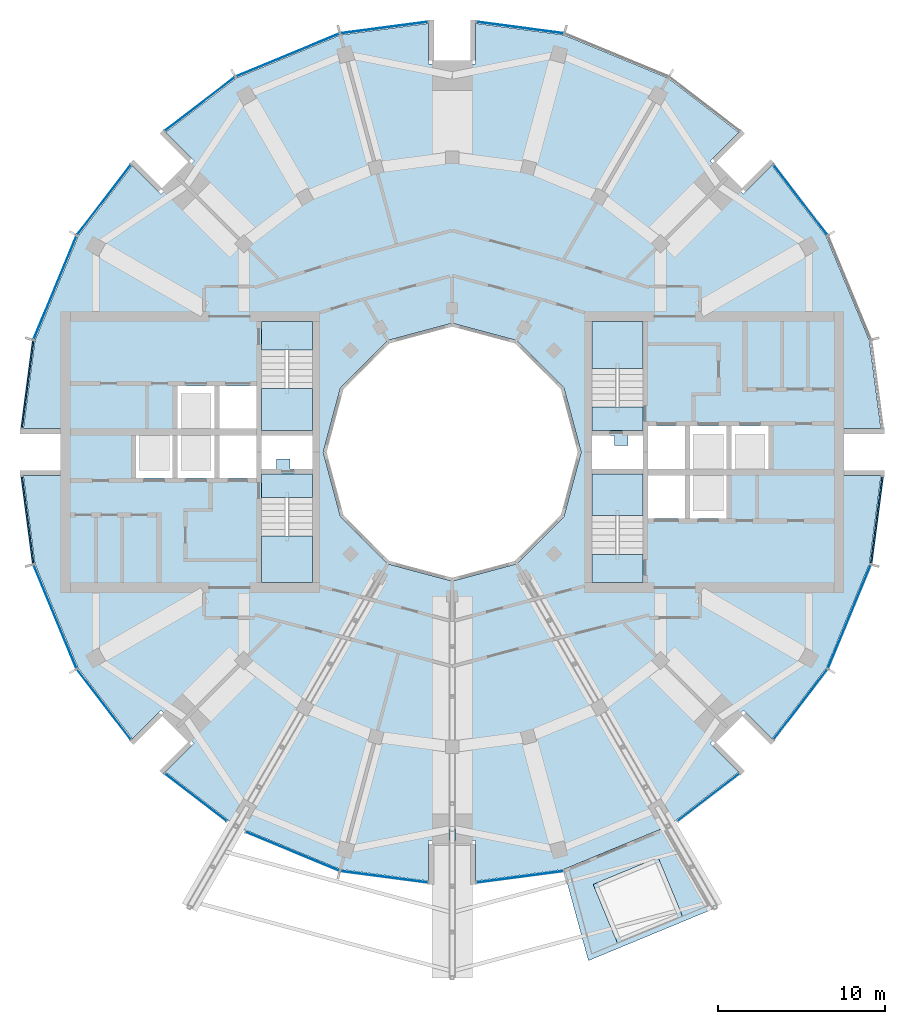
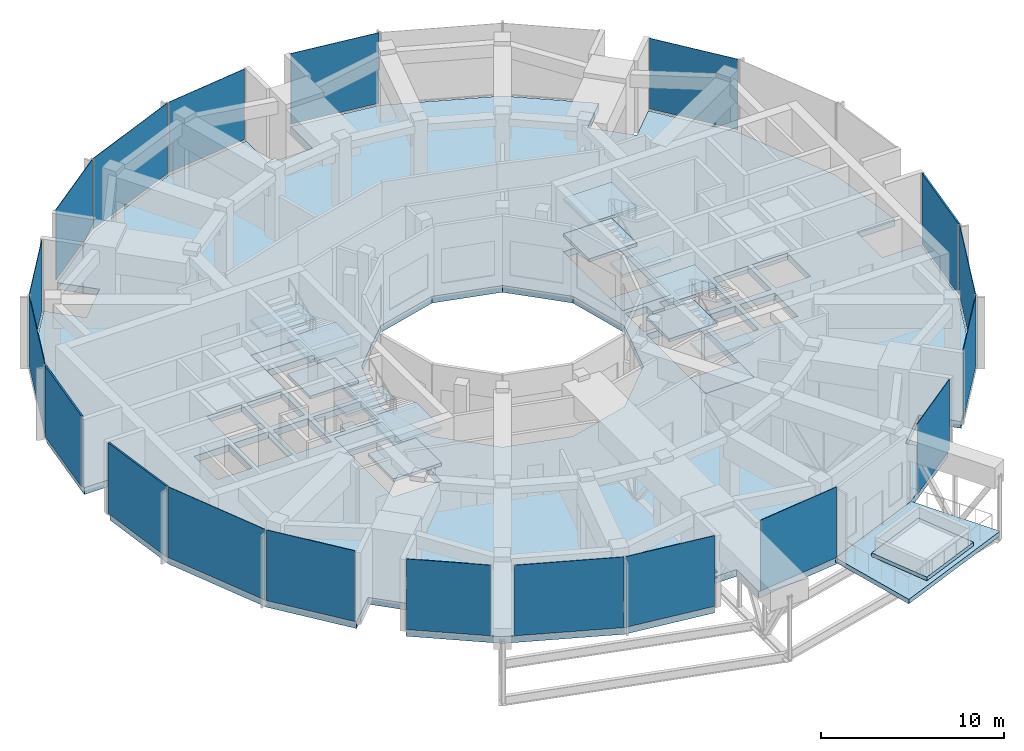
# One storey, part 9 of 17: 19 plates, 19 slabs, 1 member, 23 elements without a shape of their own.
"""IFC4 building model written with IfcOpenShell, lengths in metres."""

from ifc_helpers import new_model, si_unit, direction, frame, origin, origin_2d, place, context, subcontext, project, spatial, polyline, rectangle, i_section, outline, extrude, material, layer, layer_set, material_profile, profile_set, type_object, element, aggregate, save


model = new_model("IFC4")

# Units and contexts
model_context = context("Model", 3, precision=1e-05, world=origin(), true_north=direction((0.0, 1.0)))
body_context = subcontext(model_context, "Body", "Model", "MODEL_VIEW")
ifc_project = project(units=[si_unit("LENGTHUNIT", "METRE"), si_unit("AREAUNIT", "SQUARE_METRE"), si_unit("VOLUMEUNIT", "CUBIC_METRE"), si_unit("PLANEANGLEUNIT", "RADIAN"), si_unit("MASSUNIT", "GRAM", prefix="KILO")], contexts=[model_context])

# Site, building, storey
site_placement = place(None, origin())
site = spatial("IfcSite", under=ifc_project, at=site_placement, CompositionType="ELEMENT")
building_placement = place(site_placement, origin())
building = spatial("IfcBuilding", under=site, at=building_placement, Name="Torre Brocal", CompositionType="ELEMENT")
storey_placement = place(building_placement, frame((0.0, 0.0, 270.89990234375)))
storey = spatial("IfcBuildingStorey", under=building, at=storey_placement, Name="L62", CompositionType="ELEMENT", Elevation=270.89990234375)

# Member
ifc_material_1 = material(Name="Steel A992", Category="steel")
ifc_material_profile = material_profile(ifc_material_1, i_section(OverallWidth=0.406494140625, OverallDepth=0.41650390625, WebThickness=0.030029296875, FlangeThickness=0.048095703125, at=origin_2d()), Name="W14X257")
ifc_profile_set = profile_set([ifc_material_profile], Name="Steel A992")
member_type = type_object("IfcMemberType", Name="POOL TRUSS BOTTOM CHORD W14X257", PredefinedType="CHORD", material=ifc_profile_set)
member_placement = place(storey_placement, frame((80.0, 52.5, 0.091796875), z_axis=(0.0, -1.0, 0.0), x_axis=(1.0, 0.0, 0.0)))
element("IfcMember", 1, at=member_placement, inside=storey, type_object=member_type, Name="Member CT-C15", PredefinedType="CHORD", context=body_context, shape_type="SweptSolid", body=[
    extrude(i_section(OverallWidth=0.406494140625, OverallDepth=0.41650390625, WebThickness=0.030029296875, FlangeThickness=0.048095703125, at=origin_2d()), origin(), (0.0, 0.0, 1.0), 0.699951171875),
])

# Curtain wall, plate
ifc_material_2 = material(Name="Aluminium and glass", Category="aluminium")
ifc_layer_1 = layer(ifc_material_2, 0.199951171875)
ifc_layer_set_1 = layer_set([ifc_layer_1], Name="Aluminium and glass")
curtain_wall_type_1 = type_object("IfcCurtainWallType", Name="CW-1 CURTAIN WALL 4800 HIGH", PredefinedType="NOTDEFINED", material=ifc_layer_set_1)
curtain_wall_1_placement = place(storey_placement, origin())
curtain_wall_1 = element("IfcCurtainWall", 2, at=curtain_wall_1_placement, inside=storey, type_object=curtain_wall_type_1, Name="CW-1 RUN 3", PredefinedType="NOTDEFINED")
ifc_material_3 = material(Name="Glass, dark tinted laminated", Category="glass")
ifc_layer_2 = layer(ifc_material_3, 0.031982421875)
ifc_layer_set_2 = layer_set([ifc_layer_2], Name="Glass, dark tinted laminated")
plate_type_1 = type_object("IfcPlateType", Name="CW-1 GLASS PANEL 32", PredefinedType="CURTAIN_PANEL", material=ifc_layer_set_2)
plate_1_placement = place(storey_placement, frame((100.80126953125, 90.0712890625, 0.080078125), z_axis=(0.0, 0.0, 1.0), x_axis=(-0.60876142905, 0.793353340259, 0.0)))
plate_1 = element("IfcPlate", 3, at=plate_1_placement, type_object=plate_type_1, Name="CW1-7 panel 1.1", PredefinedType="CURTAIN_PANEL", context=body_context, shape_type="SweptSolid", body=[
    extrude(rectangle(XDim=5.22900390625, YDim=0.031982421875, at=origin_2d()), origin(), (0.0, 0.0, 1.0), 4.719970703125),
])
aggregate(curtain_wall_1, [plate_1])

curtain_wall_2_placement = place(storey_placement, origin())
curtain_wall_2 = element("IfcCurtainWall", 4, at=curtain_wall_2_placement, inside=storey, type_object=curtain_wall_type_1, Name="CW-1 RUN 6", PredefinedType="NOTDEFINED")
plate_2_placement = place(storey_placement, frame((84.051513671875, 100.36572265625, 0.080078125), z_axis=(0.0, 0.0, 1.0), x_axis=(-0.991444861374, 0.13052619222, 0.0)))
plate_2 = element("IfcPlate", 5, at=plate_2_placement, type_object=plate_type_1, Name="CW1-7 panel 1.1", PredefinedType="CURTAIN_PANEL", context=body_context, shape_type="SweptSolid", body=[
    extrude(rectangle(XDim=5.22900390625, YDim=0.031982421875, at=origin_2d()), origin(), (0.0, 0.0, 1.0), 4.719970703125),
])
aggregate(curtain_wall_2, [plate_2])

curtain_wall_3_placement = place(storey_placement, origin())
curtain_wall_3 = element("IfcCurtainWall", 6, at=curtain_wall_3_placement, inside=storey, type_object=curtain_wall_type_1, Name="CW-1 RUN 7", PredefinedType="NOTDEFINED")
plate_3_placement = place(storey_placement, frame((75.948486328125, 100.36572265625, 0.080078125), z_axis=(0.0, 0.0, 1.0), x_axis=(-0.991444861374, -0.13052619222, 0.0)))
plate_3 = element("IfcPlate", 7, at=plate_3_placement, type_object=plate_type_1, Name="CW1-7 panel 1.1", PredefinedType="CURTAIN_PANEL", context=body_context, shape_type="SweptSolid", body=[
    extrude(rectangle(XDim=5.22900390625, YDim=0.031982421875, at=origin_2d()), origin(), (0.0, 0.0, 1.0), 4.719970703125),
])
aggregate(curtain_wall_3, [plate_3])

curtain_wall_4_placement = place(storey_placement, origin())
curtain_wall_4 = element("IfcCurtainWall", 8, at=curtain_wall_4_placement, inside=storey, type_object=curtain_wall_type_1, Name="CW-1 RUN 8", PredefinedType="NOTDEFINED")
plate_4_placement = place(storey_placement, frame((70.173583984375, 98.722900390625, 0.080078125), z_axis=(0.0, 0.0, 1.0), x_axis=(-0.923879532525, -0.382683432333, 0.0)))
plate_4 = element("IfcPlate", 9, at=plate_4_placement, type_object=plate_type_1, Name="CW1-7 panel 1.1", PredefinedType="CURTAIN_PANEL", context=body_context, shape_type="SweptSolid", body=[
    extrude(rectangle(XDim=6.64111328125, YDim=0.031982421875, at=origin_2d()), origin(), (0.0, 0.0, 1.0), 4.719970703125),
])
aggregate(curtain_wall_4, [plate_4])

curtain_wall_5_placement = place(storey_placement, origin())
curtain_wall_5 = element("IfcCurtainWall", 10, at=curtain_wall_5_placement, inside=storey, type_object=curtain_wall_type_1, Name="CW-1 RUN 9", PredefinedType="NOTDEFINED")
plate_5_placement = place(storey_placement, frame((64.9287109375, 95.80126953125, 0.080078125), z_axis=(0.0, 0.0, 1.0), x_axis=(-0.793353340259, -0.60876142905, 0.0)))
plate_5 = element("IfcPlate", 11, at=plate_5_placement, type_object=plate_type_1, Name="CW1-7 panel 1.1", PredefinedType="CURTAIN_PANEL", context=body_context, shape_type="SweptSolid", body=[
    extrude(rectangle(XDim=5.22900390625, YDim=0.031982421875, at=origin_2d()), origin(), (0.0, 0.0, 1.0), 4.719970703125),
])
aggregate(curtain_wall_5, [plate_5])

curtain_wall_6_placement = place(storey_placement, origin())
curtain_wall_6 = element("IfcCurtainWall", 12, at=curtain_wall_6_placement, inside=storey, type_object=curtain_wall_type_1, Name="CW-1 RUN 10", PredefinedType="NOTDEFINED")
plate_6_placement = place(storey_placement, frame((59.19873046875, 90.0712890625, 0.080078125), z_axis=(0.0, 0.0, 1.0), x_axis=(-0.60876142905, -0.793353340259, 0.0)))
plate_6 = element("IfcPlate", 13, at=plate_6_placement, type_object=plate_type_1, Name="CW1-7 panel 1.1", PredefinedType="CURTAIN_PANEL", context=body_context, shape_type="SweptSolid", body=[
    extrude(rectangle(XDim=5.22900390625, YDim=0.031982421875, at=origin_2d()), origin(), (0.0, 0.0, 1.0), 4.719970703125),
])
aggregate(curtain_wall_6, [plate_6])

curtain_wall_7_placement = place(storey_placement, origin())
curtain_wall_7 = element("IfcCurtainWall", 14, at=curtain_wall_7_placement, inside=storey, type_object=curtain_wall_type_1, Name="CW-1 RUN 11", PredefinedType="NOTDEFINED")
plate_7_placement = place(storey_placement, frame((56.277099609375, 84.826416015625, 0.080078125), z_axis=(0.0, 0.0, 1.0), x_axis=(-0.382683432333, -0.923879532525, 0.0)))
plate_7 = element("IfcPlate", 15, at=plate_7_placement, type_object=plate_type_1, Name="CW1-7 panel 1.1", PredefinedType="CURTAIN_PANEL", context=body_context, shape_type="SweptSolid", body=[
    extrude(rectangle(XDim=6.64111328125, YDim=0.031982421875, at=origin_2d()), origin(), (0.0, 0.0, 1.0), 4.719970703125),
])
aggregate(curtain_wall_7, [plate_7])

curtain_wall_8_placement = place(storey_placement, origin())
curtain_wall_8 = element("IfcCurtainWall", 16, at=curtain_wall_8_placement, inside=storey, type_object=curtain_wall_type_1, Name="CW-1 RUN 14", PredefinedType="NOTDEFINED")
plate_8_placement = place(storey_placement, frame((56.277099609375, 65.173583984375, 0.080078125), z_axis=(0.0, 0.0, 1.0), x_axis=(0.382683432333, -0.923879532525, 0.0)))
plate_8 = element("IfcPlate", 17, at=plate_8_placement, type_object=plate_type_1, Name="CW1-7 panel 1.1", PredefinedType="CURTAIN_PANEL", context=body_context, shape_type="SweptSolid", body=[
    extrude(rectangle(XDim=6.64111328125, YDim=0.031982421875, at=origin_2d()), origin(), (0.0, 0.0, 1.0), 4.719970703125),
])
aggregate(curtain_wall_8, [plate_8])

curtain_wall_9_placement = place(storey_placement, origin())
curtain_wall_9 = element("IfcCurtainWall", 18, at=curtain_wall_9_placement, inside=storey, type_object=curtain_wall_type_1, Name="CW-1 RUN 15", PredefinedType="NOTDEFINED")
plate_9_placement = place(storey_placement, frame((59.19873046875, 59.9287109375, 0.080078125), z_axis=(0.0, 0.0, 1.0), x_axis=(0.60876142905, -0.793353340259, 0.0)))
plate_9 = element("IfcPlate", 19, at=plate_9_placement, type_object=plate_type_1, Name="CW1-7 panel 1.1", PredefinedType="CURTAIN_PANEL", context=body_context, shape_type="SweptSolid", body=[
    extrude(rectangle(XDim=5.22900390625, YDim=0.031982421875, at=origin_2d()), origin(), (0.0, 0.0, 1.0), 4.719970703125),
])
aggregate(curtain_wall_9, [plate_9])

curtain_wall_10_placement = place(storey_placement, origin())
curtain_wall_10 = element("IfcCurtainWall", 20, at=curtain_wall_10_placement, inside=storey, type_object=curtain_wall_type_1, Name="CW-1 RUN 16", PredefinedType="NOTDEFINED")
plate_10_placement = place(storey_placement, frame((64.6884765625, 54.383056640625, 0.080078125), z_axis=(0.0, 0.0, 1.0), x_axis=(0.793353340206, -0.608761429119, 0.0)))
plate_10 = element("IfcPlate", 21, at=plate_10_placement, type_object=plate_type_1, Name="CW1-7 panel 1.1", PredefinedType="CURTAIN_PANEL", context=body_context, shape_type="SweptSolid", body=[
    extrude(rectangle(XDim=4.623779296875, YDim=0.031982421875, at=origin_2d()), origin(), (0.0, 0.0, 1.0), 4.719970703125),
])
aggregate(curtain_wall_10, [plate_10])

curtain_wall_11_placement = place(storey_placement, origin())
curtain_wall_11 = element("IfcCurtainWall", 22, at=curtain_wall_11_placement, inside=storey, type_object=curtain_wall_type_1, Name="CW-1 RUN 17", PredefinedType="NOTDEFINED")
plate_11_placement = place(storey_placement, frame((70.453125, 51.1611328125, 0.080078125), z_axis=(0.0, 0.0, 1.0), x_axis=(0.923879532545, -0.382683432284, 0.0)))
plate_11 = element("IfcPlate", 23, at=plate_11_placement, type_object=plate_type_1, Name="CW1-7 panel 1.1", PredefinedType="CURTAIN_PANEL", context=body_context, shape_type="SweptSolid", body=[
    extrude(rectangle(XDim=6.035888671875, YDim=0.031982421875, at=origin_2d()), origin(), (0.0, 0.0, 1.0), 4.719970703125),
])
aggregate(curtain_wall_11, [plate_11])

curtain_wall_12_placement = place(storey_placement, origin())
curtain_wall_12 = element("IfcCurtainWall", 24, at=curtain_wall_12_placement, inside=storey, type_object=curtain_wall_type_1, Name="CW-1 RUN 18", PredefinedType="NOTDEFINED")
plate_12_placement = place(storey_placement, frame((75.948486328125, 49.63427734375, 0.080078125), z_axis=(0.0, 0.0, 1.0), x_axis=(0.991444861374, -0.13052619222, 0.0)))
plate_12 = element("IfcPlate", 25, at=plate_12_placement, type_object=plate_type_1, Name="CW1-7 panel 1.1", PredefinedType="CURTAIN_PANEL", context=body_context, shape_type="SweptSolid", body=[
    extrude(rectangle(XDim=5.22900390625, YDim=0.031982421875, at=origin_2d()), origin(), (0.0, 0.0, 1.0), 4.719970703125),
])
aggregate(curtain_wall_12, [plate_12])

curtain_wall_13_placement = place(storey_placement, origin())
curtain_wall_13 = element("IfcCurtainWall", 26, at=curtain_wall_13_placement, inside=storey, type_object=curtain_wall_type_1, Name="CW-1 RUN 19", PredefinedType="NOTDEFINED")
plate_13_placement = place(storey_placement, frame((84.051513671875, 49.63427734375, 0.080078125), z_axis=(0.0, 0.0, 1.0), x_axis=(0.991444861374, 0.13052619222, 0.0)))
plate_13 = element("IfcPlate", 27, at=plate_13_placement, type_object=plate_type_1, Name="CW1-7 panel 1.1", PredefinedType="CURTAIN_PANEL", context=body_context, shape_type="SweptSolid", body=[
    extrude(rectangle(XDim=5.22900390625, YDim=0.031982421875, at=origin_2d()), origin(), (0.0, 0.0, 1.0), 4.719970703125),
])
aggregate(curtain_wall_13, [plate_13])

curtain_wall_14_placement = place(storey_placement, origin())
curtain_wall_14 = element("IfcCurtainWall", 28, at=curtain_wall_14_placement, inside=storey, type_object=curtain_wall_type_1, Name="CW-1 RUN 21", PredefinedType="NOTDEFINED")
plate_14_placement = place(storey_placement, frame((95.3115234375, 54.383056640625, 0.080078125), z_axis=(0.0, 0.0, 1.0), x_axis=(0.793353340206, 0.608761429119, 0.0)))
plate_14 = element("IfcPlate", 29, at=plate_14_placement, type_object=plate_type_1, Name="CW1-7 panel 1.1", PredefinedType="CURTAIN_PANEL", context=body_context, shape_type="SweptSolid", body=[
    extrude(rectangle(XDim=4.623779296875, YDim=0.031982421875, at=origin_2d()), origin(), (0.0, 0.0, 1.0), 4.719970703125),
])
aggregate(curtain_wall_14, [plate_14])

curtain_wall_15_placement = place(storey_placement, origin())
curtain_wall_15 = element("IfcCurtainWall", 30, at=curtain_wall_15_placement, inside=storey, type_object=curtain_wall_type_1, Name="CW-1 RUN 22", PredefinedType="NOTDEFINED")
plate_15_placement = place(storey_placement, frame((100.80126953125, 59.9287109375, 0.080078125), z_axis=(0.0, 0.0, 1.0), x_axis=(0.60876142905, 0.793353340259, 0.0)))
plate_15 = element("IfcPlate", 31, at=plate_15_placement, type_object=plate_type_1, Name="CW1-7 panel 1.1", PredefinedType="CURTAIN_PANEL", context=body_context, shape_type="SweptSolid", body=[
    extrude(rectangle(XDim=5.22900390625, YDim=0.031982421875, at=origin_2d()), origin(), (0.0, 0.0, 1.0), 4.719970703125),
])
aggregate(curtain_wall_15, [plate_15])

curtain_wall_16_placement = place(storey_placement, origin())
curtain_wall_16 = element("IfcCurtainWall", 32, at=curtain_wall_16_placement, inside=storey, type_object=curtain_wall_type_1, Name="CW-1 RUN 23", PredefinedType="NOTDEFINED")
plate_16_placement = place(storey_placement, frame((103.722900390625, 65.173583984375, 0.080078125), z_axis=(0.0, 0.0, 1.0), x_axis=(0.382683432333, 0.923879532525, 0.0)))
plate_16 = element("IfcPlate", 33, at=plate_16_placement, type_object=plate_type_1, Name="CW1-7 panel 1.1", PredefinedType="CURTAIN_PANEL", context=body_context, shape_type="SweptSolid", body=[
    extrude(rectangle(XDim=6.64111328125, YDim=0.031982421875, at=origin_2d()), origin(), (0.0, 0.0, 1.0), 4.719970703125),
])
aggregate(curtain_wall_16, [plate_16])

ifc_material_4 = material(Name="Aluminium and glass", Category="aluminium")
ifc_layer_3 = layer(ifc_material_4, 0.199951171875)
ifc_layer_set_3 = layer_set([ifc_layer_3], Name="Aluminium and glass")
curtain_wall_type_2 = type_object("IfcCurtainWallType", Name="CW-1B CURTAIN WALL 4800 HIGH", PredefinedType="NOTDEFINED", material=ifc_layer_set_3)
curtain_wall_17_placement = place(storey_placement, origin())
curtain_wall_17 = element("IfcCurtainWall", 34, at=curtain_wall_17_placement, inside=storey, type_object=curtain_wall_type_2, Name="CW-1B RUN 12", PredefinedType="NOTDEFINED")
ifc_material_5 = material(Name="Aluminium composite panel", Category="aluminium")
ifc_layer_4 = layer(ifc_material_5, 0.10009765625)
ifc_layer_set_4 = layer_set([ifc_layer_4], Name="Aluminium composite panel")
plate_type_2 = type_object("IfcPlateType", Name="CW-1B OPAQUE PANEL 100", PredefinedType="CURTAIN_PANEL", material=ifc_layer_set_4)
plate_17_placement = place(storey_placement, frame((54.63427734375, 79.051513671875, 0.080078125), z_axis=(0.0, 0.0, 1.0), x_axis=(-0.13052619222, -0.991444861374, 0.0)))
plate_17 = element("IfcPlate", 35, at=plate_17_placement, type_object=plate_type_2, Name="CW1B-6 panel 1.1", PredefinedType="CURTAIN_PANEL", context=body_context, shape_type="SweptSolid", body=[
    extrude(rectangle(XDim=5.22900390625, YDim=0.10009765625, at=origin_2d()), origin(), (0.0, 0.0, 1.0), 4.719970703125),
])
aggregate(curtain_wall_17, [plate_17])

curtain_wall_18_placement = place(storey_placement, origin())
curtain_wall_18 = element("IfcCurtainWall", 36, at=curtain_wall_18_placement, inside=storey, type_object=curtain_wall_type_2, Name="CW-1B RUN 13", PredefinedType="NOTDEFINED")
plate_18_placement = place(storey_placement, frame((54.63427734375, 70.948486328125, 0.080078125), z_axis=(0.0, 0.0, 1.0), x_axis=(0.13052619222, -0.991444861374, 0.0)))
plate_18 = element("IfcPlate", 37, at=plate_18_placement, type_object=plate_type_2, Name="CW1B-6 panel 1.1", PredefinedType="CURTAIN_PANEL", context=body_context, shape_type="SweptSolid", body=[
    extrude(rectangle(XDim=5.22900390625, YDim=0.10009765625, at=origin_2d()), origin(), (0.0, 0.0, 1.0), 4.719970703125),
])
aggregate(curtain_wall_18, [plate_18])

curtain_wall_19_placement = place(storey_placement, origin())
curtain_wall_19 = element("IfcCurtainWall", 38, at=curtain_wall_19_placement, inside=storey, type_object=curtain_wall_type_2, Name="CW-1B RUN 24", PredefinedType="NOTDEFINED")
plate_19_placement = place(storey_placement, frame((105.36572265625, 70.948486328125, 0.080078125), z_axis=(0.0, 0.0, 1.0), x_axis=(0.13052619222, 0.991444861374, 0.0)))
plate_19 = element("IfcPlate", 39, at=plate_19_placement, type_object=plate_type_2, Name="CW1B-6 panel 1.1", PredefinedType="CURTAIN_PANEL", context=body_context, shape_type="SweptSolid", body=[
    extrude(rectangle(XDim=5.22900390625, YDim=0.10009765625, at=origin_2d()), origin(), (0.0, 0.0, 1.0), 4.719970703125),
])
aggregate(curtain_wall_19, [plate_19])

# Stair, slab
ifc_material_6 = material(Name="Concrete C50", Category="concrete")
stair_type = type_object("IfcStairType", Name="EXIT STAIR", PredefinedType="HALF_TURN_STAIR", material=ifc_material_6)
stair_1_placement = place(storey_placement, origin())
stair_1 = element("IfcStair", 40, at=stair_1_placement, inside=storey, type_object=stair_type, Name="EXIT STAIR ST1", PredefinedType="HALF_TURN_STAIR")
ifc_material_7 = material(Name="Concrete C50", Category="concrete")
ifc_layer_5 = layer(ifc_material_7, 0.449951171875)
ifc_layer_set_5 = layer_set([ifc_layer_5], Name="Concrete C50")
slab_type_1 = type_object("IfcSlabType", Name="FLOOR LANDING 450", PredefinedType="LANDING", material=ifc_layer_set_5)
slab_1_placement = place(storey_placement, frame((0.0, 0.0, -0.449951171875)))
slab_1 = element("IfcSlab", 41, at=slab_1_placement, type_object=slab_type_1, Name="ST1 landing 1", PredefinedType="LANDING", context=body_context, shape_type="SweptSolid", body=[
    extrude(outline(polyline([(88.35009765625, 76.300048828125), (91.39990234375, 76.300048828125), (91.39990234375, 77.699951171875), (88.35009765625, 77.699951171875), (88.35009765625, 76.300048828125)])), origin(), (0.0, 0.0, 1.0), 0.449951171875),
])

stair_2_placement = place(storey_placement, origin())
stair_2 = element("IfcStair", 42, at=stair_2_placement, inside=storey, type_object=stair_type, Name="EXIT STAIR ST2", PredefinedType="HALF_TURN_STAIR")
slab_2_placement = place(storey_placement, frame((0.0, 0.0, -0.449951171875)))
slab_2 = element("IfcSlab", 43, at=slab_2_placement, type_object=slab_type_1, Name="ST2 landing 1", PredefinedType="LANDING", context=body_context, shape_type="SweptSolid", body=[
    extrude(outline(polyline([(88.35009765625, 67.199951171875), (91.39990234375, 67.199951171875), (91.39990234375, 68.89990234375), (88.35009765625, 68.89990234375), (88.35009765625, 67.199951171875)])), origin(), (0.0, 0.0, 1.0), 0.449951171875),
])

stair_3_placement = place(storey_placement, origin())
stair_3 = element("IfcStair", 44, at=stair_3_placement, inside=storey, type_object=stair_type, Name="EXIT STAIR ST3", PredefinedType="HALF_TURN_STAIR")
slab_3_placement = place(storey_placement, frame((0.0, 0.0, -0.449951171875)))
slab_3 = element("IfcSlab", 45, at=slab_3_placement, type_object=slab_type_1, Name="ST3 landing 1", PredefinedType="LANDING", context=body_context, shape_type="SweptSolid", body=[
    extrude(outline(polyline([(71.64990234375, 73.699951171875), (68.60009765625, 73.699951171875), (68.60009765625, 72.300048828125), (71.64990234375, 72.300048828125), (71.64990234375, 73.699951171875)])), origin(), (0.0, 0.0, 1.0), 0.449951171875),
])

stair_4_placement = place(storey_placement, origin())
stair_4 = element("IfcStair", 46, at=stair_4_placement, inside=storey, type_object=stair_type, Name="EXIT STAIR ST4", PredefinedType="HALF_TURN_STAIR")
slab_4_placement = place(storey_placement, frame((0.0, 0.0, -0.449951171875)))
slab_4 = element("IfcSlab", 47, at=slab_4_placement, type_object=slab_type_1, Name="ST4 landing 1", PredefinedType="LANDING", context=body_context, shape_type="SweptSolid", body=[
    extrude(outline(polyline([(71.64990234375, 82.800048828125), (68.60009765625, 82.800048828125), (68.60009765625, 81.10009765625), (71.64990234375, 81.10009765625), (71.64990234375, 82.800048828125)])), origin(), (0.0, 0.0, 1.0), 0.449951171875),
])

# Slab
ifc_material_8 = material(Name="Concrete C50", Category="concrete")
ifc_layer_6 = layer(ifc_material_8, 0.199951171875)
ifc_layer_set_6 = layer_set([ifc_layer_6], Name="Concrete C50")
slab_type_2 = type_object("IfcSlabType", Name="MID LANDING +1200", PredefinedType="LANDING", material=ifc_layer_set_6)
slab_5_placement = place(storey_placement, frame((0.0, 0.0, 1.0)))
slab_5 = element("IfcSlab", 48, at=slab_5_placement, type_object=slab_type_2, Name="ST1 landing 2", PredefinedType="LANDING", context=body_context, shape_type="SweptSolid", body=[
    extrude(outline(polyline([(88.35009765625, 80.010009765625), (91.39990234375, 80.010009765625), (91.39990234375, 82.800048828125), (88.35009765625, 82.800048828125), (88.35009765625, 80.010009765625)])), origin(), (0.0, 0.0, 1.0), 0.2001953125),
])

slab_6_placement = place(storey_placement, frame((0.0, 0.0, 1.0)))
slab_6 = element("IfcSlab", 49, at=slab_6_placement, type_object=slab_type_2, Name="ST2 landing 2", PredefinedType="LANDING", context=body_context, shape_type="SweptSolid", body=[
    extrude(outline(polyline([(88.35009765625, 71.2099609375), (91.39990234375, 71.2099609375), (91.39990234375, 73.699951171875), (88.35009765625, 73.699951171875), (88.35009765625, 71.2099609375)])), origin(), (0.0, 0.0, 1.0), 0.2001953125),
])

slab_7_placement = place(storey_placement, frame((0.0, 0.0, 1.0)))
slab_7 = element("IfcSlab", 50, at=slab_7_placement, type_object=slab_type_2, Name="ST3 landing 2", PredefinedType="LANDING", context=body_context, shape_type="SweptSolid", body=[
    extrude(outline(polyline([(71.64990234375, 69.989990234375), (68.60009765625, 69.989990234375), (68.60009765625, 67.199951171875), (71.64990234375, 67.199951171875), (71.64990234375, 69.989990234375)])), origin(), (0.0, 0.0, 1.0), 0.2001953125),
])

slab_8_placement = place(storey_placement, frame((0.0, 0.0, 1.0)))
slab_8 = element("IfcSlab", 51, at=slab_8_placement, type_object=slab_type_2, Name="ST4 landing 2", PredefinedType="LANDING", context=body_context, shape_type="SweptSolid", body=[
    extrude(outline(polyline([(71.64990234375, 78.7900390625), (68.60009765625, 78.7900390625), (68.60009765625, 76.300048828125), (71.64990234375, 76.300048828125), (71.64990234375, 78.7900390625)])), origin(), (0.0, 0.0, 1.0), 0.2001953125),
])

ifc_material_9 = material(Name="Concrete C50", Category="concrete")
ifc_layer_7 = layer(ifc_material_9, 0.199951171875)
ifc_layer_set_7 = layer_set([ifc_layer_7], Name="Concrete C50")
slab_type_3 = type_object("IfcSlabType", Name="MID LANDING +2400", PredefinedType="LANDING", material=ifc_layer_set_7)
slab_9_placement = place(storey_placement, frame((0.0, 0.0, 2.2001953125)))
slab_9 = element("IfcSlab", 52, at=slab_9_placement, type_object=slab_type_3, Name="ST1 landing 3", PredefinedType="LANDING", context=body_context, shape_type="SweptSolid", body=[
    extrude(outline(polyline([(88.35009765625, 76.300048828125), (91.39990234375, 76.300048828125), (91.39990234375, 77.699951171875), (88.35009765625, 77.699951171875), (88.35009765625, 76.300048828125)])), origin(), (0.0, 0.0, 1.0), 0.199951171875),
])

slab_10_placement = place(storey_placement, frame((0.0, 0.0, 2.2001953125)))
slab_10 = element("IfcSlab", 53, at=slab_10_placement, type_object=slab_type_3, Name="ST2 landing 3", PredefinedType="LANDING", context=body_context, shape_type="SweptSolid", body=[
    extrude(outline(polyline([(88.35009765625, 67.199951171875), (91.39990234375, 67.199951171875), (91.39990234375, 68.89990234375), (88.35009765625, 68.89990234375), (88.35009765625, 67.199951171875)])), origin(), (0.0, 0.0, 1.0), 0.199951171875),
])

slab_11_placement = place(storey_placement, frame((0.0, 0.0, 2.2001953125)))
slab_11 = element("IfcSlab", 54, at=slab_11_placement, type_object=slab_type_3, Name="ST3 landing 3", PredefinedType="LANDING", context=body_context, shape_type="SweptSolid", body=[
    extrude(outline(polyline([(71.64990234375, 73.699951171875), (68.60009765625, 73.699951171875), (68.60009765625, 72.300048828125), (71.64990234375, 72.300048828125), (71.64990234375, 73.699951171875)])), origin(), (0.0, 0.0, 1.0), 0.199951171875),
])

slab_12_placement = place(storey_placement, frame((0.0, 0.0, 2.2001953125)))
slab_12 = element("IfcSlab", 55, at=slab_12_placement, type_object=slab_type_3, Name="ST4 landing 3", PredefinedType="LANDING", context=body_context, shape_type="SweptSolid", body=[
    extrude(outline(polyline([(71.64990234375, 82.800048828125), (68.60009765625, 82.800048828125), (68.60009765625, 81.10009765625), (71.64990234375, 81.10009765625), (71.64990234375, 82.800048828125)])), origin(), (0.0, 0.0, 1.0), 0.199951171875),
])

ifc_material_10 = material(Name="Concrete C50", Category="concrete")
ifc_layer_8 = layer(ifc_material_10, 0.199951171875)
ifc_layer_set_8 = layer_set([ifc_layer_8], Name="Concrete C50")
slab_type_4 = type_object("IfcSlabType", Name="MID LANDING +3600", PredefinedType="LANDING", material=ifc_layer_set_8)
slab_13_placement = place(storey_placement, frame((0.0, 0.0, 3.400146484375)))
slab_13 = element("IfcSlab", 56, at=slab_13_placement, type_object=slab_type_4, Name="ST1 landing 4", PredefinedType="LANDING", context=body_context, shape_type="SweptSolid", body=[
    extrude(outline(polyline([(88.35009765625, 80.010009765625), (91.39990234375, 80.010009765625), (91.39990234375, 82.800048828125), (88.35009765625, 82.800048828125), (88.35009765625, 80.010009765625)])), origin(), (0.0, 0.0, 1.0), 0.199951171875),
])

aggregate(stair_1, [slab_1, slab_5, slab_9, slab_13])

slab_14_placement = place(storey_placement, frame((0.0, 0.0, 3.400146484375)))
slab_14 = element("IfcSlab", 57, at=slab_14_placement, type_object=slab_type_4, Name="ST2 landing 4", PredefinedType="LANDING", context=body_context, shape_type="SweptSolid", body=[
    extrude(outline(polyline([(88.35009765625, 71.2099609375), (91.39990234375, 71.2099609375), (91.39990234375, 73.699951171875), (88.35009765625, 73.699951171875), (88.35009765625, 71.2099609375)])), origin(), (0.0, 0.0, 1.0), 0.199951171875),
])

aggregate(stair_2, [slab_2, slab_6, slab_10, slab_14])

slab_15_placement = place(storey_placement, frame((0.0, 0.0, 3.400146484375)))
slab_15 = element("IfcSlab", 58, at=slab_15_placement, type_object=slab_type_4, Name="ST3 landing 4", PredefinedType="LANDING", context=body_context, shape_type="SweptSolid", body=[
    extrude(outline(polyline([(71.64990234375, 69.989990234375), (68.60009765625, 69.989990234375), (68.60009765625, 67.199951171875), (71.64990234375, 67.199951171875), (71.64990234375, 69.989990234375)])), origin(), (0.0, 0.0, 1.0), 0.199951171875),
])

aggregate(stair_3, [slab_3, slab_7, slab_11, slab_15])

slab_16_placement = place(storey_placement, frame((0.0, 0.0, 3.400146484375)))
slab_16 = element("IfcSlab", 59, at=slab_16_placement, type_object=slab_type_4, Name="ST4 landing 4", PredefinedType="LANDING", context=body_context, shape_type="SweptSolid", body=[
    extrude(outline(polyline([(71.64990234375, 78.7900390625), (68.60009765625, 78.7900390625), (68.60009765625, 76.300048828125), (71.64990234375, 76.300048828125), (71.64990234375, 78.7900390625)])), origin(), (0.0, 0.0, 1.0), 0.199951171875),
])

aggregate(stair_4, [slab_4, slab_8, slab_12, slab_16])

# Slabs
ifc_material_11 = material(Name="Concrete C45", Category="concrete")
ifc_layer_9 = layer(ifc_material_11, 0.25)
ifc_layer_set_9 = layer_set([ifc_layer_9], Name="Concrete C45")
slab_type_5 = type_object("IfcSlabType", Name="PLUNGE POOL FLOOR 250", PredefinedType="FLOOR", material=ifc_layer_set_9)
slab_17_placement = place(storey_placement, origin())
element("IfcSlab", 60, at=slab_17_placement, inside=storey, type_object=slab_type_5, Name="PLUNGE POOL FLOOR", PredefinedType="FLOOR", context=body_context, shape_type="SweptSolid", body=[
    extrude(outline(polyline([(88.421875, 49.179931640625), (92.30224609375, 50.787109375), (93.756591796875, 47.2763671875), (89.876220703125, 45.669189453125), (88.421875, 49.179931640625)])), origin(), (0.0, 0.0, 1.0), 0.25),
])
ifc_material_12 = material(Name="Concrete C45", Category="concrete")
ifc_layer_10 = layer(ifc_material_12, 0.300048828125)
ifc_layer_set_10 = layer_set([ifc_layer_10], Name="Concrete C45")
slab_type_6 = type_object("IfcSlabType", Name="POOL DECK SLAB 300", PredefinedType="FLOOR", material=ifc_layer_set_10)
slab_18_placement = place(storey_placement, frame((0.0, 0.0, -0.2998046875)))
element("IfcSlab", 61, at=slab_18_placement, inside=storey, type_object=slab_type_6, Name="POOL DECK", PredefinedType="FLOOR", context=body_context, shape_type="SweptSolid", body=[
    extrude(outline(polyline([(86.65283203125, 50.07080078125), (92.923583984375, 52.668212890625), (95.723388671875, 47.766357421875), (88.138916015625, 44.625), (86.65283203125, 50.07080078125)])), origin(), (0.0, 0.0, 1.0), 0.2998046875),
])
ifc_material_13 = material(Name="Concrete C45", Category="concrete")
ifc_layer_11 = layer(ifc_material_13, 0.449951171875)
ifc_layer_set_11 = layer_set([ifc_layer_11], Name="Concrete C45")
slab_type_7 = type_object("IfcSlabType", Name="PT FLOOR SLAB 450 C45", PredefinedType="FLOOR", material=ifc_layer_set_11)
slab_19_placement = place(storey_placement, frame((0.0, 0.0, -0.449951171875)))
element("IfcSlab", 62, at=slab_19_placement, inside=storey, type_object=slab_type_7, Name="Slab ST-12", PredefinedType="FLOOR", context=body_context, shape_type="SweptSolid", body=[
    extrude(outline(polyline([(103.199951171875, 76.39990234375), (103.199951171875, 73.60009765625), (105.614013671875, 73.60009765625), (104.919189453125, 68.322998046875), (102.342041015625, 62.100830078125), (99.101806640625, 57.878173828125), (97.394775390625, 59.5849609375), (95.4150390625, 57.605224609375), (97.121826171875, 55.898193359375), (92.899169921875, 52.657958984375), (86.677001953125, 50.080810546875), (81.39990234375, 49.385986328125), (81.39990234375, 51.800048828125), (78.60009765625, 51.800048828125), (78.60009765625, 49.385986328125), (73.322998046875, 50.080810546875), (67.100830078125, 52.657958984375), (62.878173828125, 55.898193359375), (64.5849609375, 57.605224609375), (62.605224609375, 59.5849609375), (60.898193359375, 57.878173828125), (57.657958984375, 62.100830078125), (55.080810546875, 68.322998046875), (54.385986328125, 73.60009765625), (56.800048828125, 73.60009765625), (56.800048828125, 76.39990234375), (54.385986328125, 76.39990234375), (55.080810546875, 81.677001953125), (57.657958984375, 87.899169921875), (60.898193359375, 92.121826171875), (62.605224609375, 90.4150390625), (64.5849609375, 92.394775390625), (62.878173828125, 94.101806640625), (67.100830078125, 97.342041015625), (73.322998046875, 99.919189453125), (78.60009765625, 100.614013671875), (78.60009765625, 98.199951171875), (81.39990234375, 98.199951171875), (81.39990234375, 100.614013671875), (86.677001953125, 99.919189453125), (92.899169921875, 97.342041015625), (97.121826171875, 94.101806640625), (95.4150390625, 92.394775390625), (97.394775390625, 90.4150390625), (99.101806640625, 92.121826171875), (102.342041015625, 87.899169921875), (104.919189453125, 81.677001953125), (105.614013671875, 76.39990234375), (103.199951171875, 76.39990234375)]), holes=[polyline([(98.89990234375, 76.550048828125), (96.699951171875, 76.550048828125), (96.699951171875, 74.0), (98.89990234375, 74.0), (98.89990234375, 76.550048828125)]), polyline([(96.39990234375, 76.550048828125), (94.199951171875, 76.550048828125), (94.199951171875, 74.0), (96.39990234375, 74.0), (96.39990234375, 76.550048828125)]), polyline([(96.39990234375, 73.60009765625), (94.199951171875, 73.60009765625), (94.199951171875, 71.050048828125), (96.39990234375, 71.050048828125), (96.39990234375, 73.60009765625)]), polyline([(93.89990234375, 76.550048828125), (91.699951171875, 76.550048828125), (91.699951171875, 74.0), (93.89990234375, 74.0), (93.89990234375, 76.550048828125)]), polyline([(93.89990234375, 73.60009765625), (91.699951171875, 73.60009765625), (91.699951171875, 71.050048828125), (93.89990234375, 71.050048828125), (93.89990234375, 73.60009765625)]), polyline([(89.699951171875, 76.0), (88.35009765625, 76.0), (88.35009765625, 74.0), (91.39990234375, 74.0), (91.39990234375, 76.0), (90.5, 76.0), (90.5, 75.39990234375), (89.699951171875, 75.39990234375), (89.699951171875, 76.0)]), polyline([(91.39990234375, 82.800048828125), (88.35009765625, 82.800048828125), (88.35009765625, 76.300048828125), (91.39990234375, 76.300048828125), (91.39990234375, 82.800048828125)]), polyline([(91.39990234375, 73.699951171875), (88.35009765625, 73.699951171875), (88.35009765625, 67.199951171875), (91.39990234375, 67.199951171875), (91.39990234375, 73.699951171875)]), polyline([(80.0, 82.70703125), (76.146484375, 81.674560546875), (73.325439453125, 78.853515625), (72.29296875, 75.0), (73.325439453125, 71.146484375), (76.146484375, 68.325439453125), (80.0, 67.29296875), (83.853515625, 68.325439453125), (86.674560546875, 71.146484375), (87.70703125, 75.0), (86.674560546875, 78.853515625), (83.853515625, 81.674560546875), (80.0, 82.70703125)]), polyline([(70.300048828125, 74.0), (71.64990234375, 74.0), (71.64990234375, 76.0), (68.60009765625, 76.0), (68.60009765625, 74.0), (69.5, 74.0), (69.5, 74.60009765625), (70.300048828125, 74.60009765625), (70.300048828125, 74.0)]), polyline([(68.60009765625, 76.300048828125), (71.64990234375, 76.300048828125), (71.64990234375, 82.800048828125), (68.60009765625, 82.800048828125), (68.60009765625, 76.300048828125)]), polyline([(68.60009765625, 67.199951171875), (71.64990234375, 67.199951171875), (71.64990234375, 73.699951171875), (68.60009765625, 73.699951171875), (68.60009765625, 67.199951171875)]), polyline([(66.10009765625, 76.39990234375), (68.300048828125, 76.39990234375), (68.300048828125, 78.949951171875), (66.10009765625, 78.949951171875), (66.10009765625, 76.39990234375)]), polyline([(66.10009765625, 73.449951171875), (68.300048828125, 73.449951171875), (68.300048828125, 76.0), (66.10009765625, 76.0), (66.10009765625, 73.449951171875)]), polyline([(63.60009765625, 76.39990234375), (65.800048828125, 76.39990234375), (65.800048828125, 78.949951171875), (63.60009765625, 78.949951171875), (63.60009765625, 76.39990234375)]), polyline([(63.60009765625, 73.449951171875), (65.800048828125, 73.449951171875), (65.800048828125, 76.0), (63.60009765625, 76.0), (63.60009765625, 73.449951171875)]), polyline([(61.10009765625, 73.449951171875), (63.300048828125, 73.449951171875), (63.300048828125, 76.0), (61.10009765625, 76.0), (61.10009765625, 73.449951171875)])]), origin(), (0.0, 0.0, 1.0), 0.449951171875),
])

save(model, "model.ifc")
